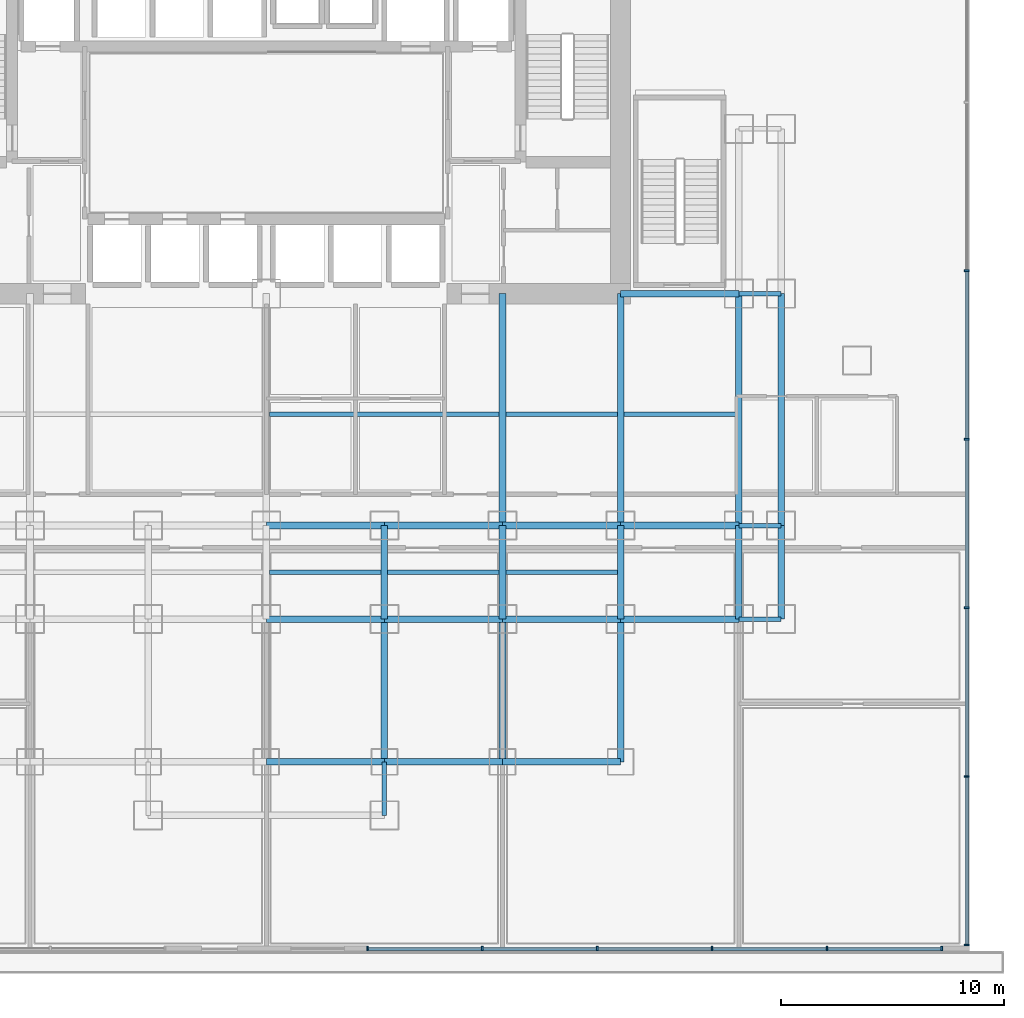
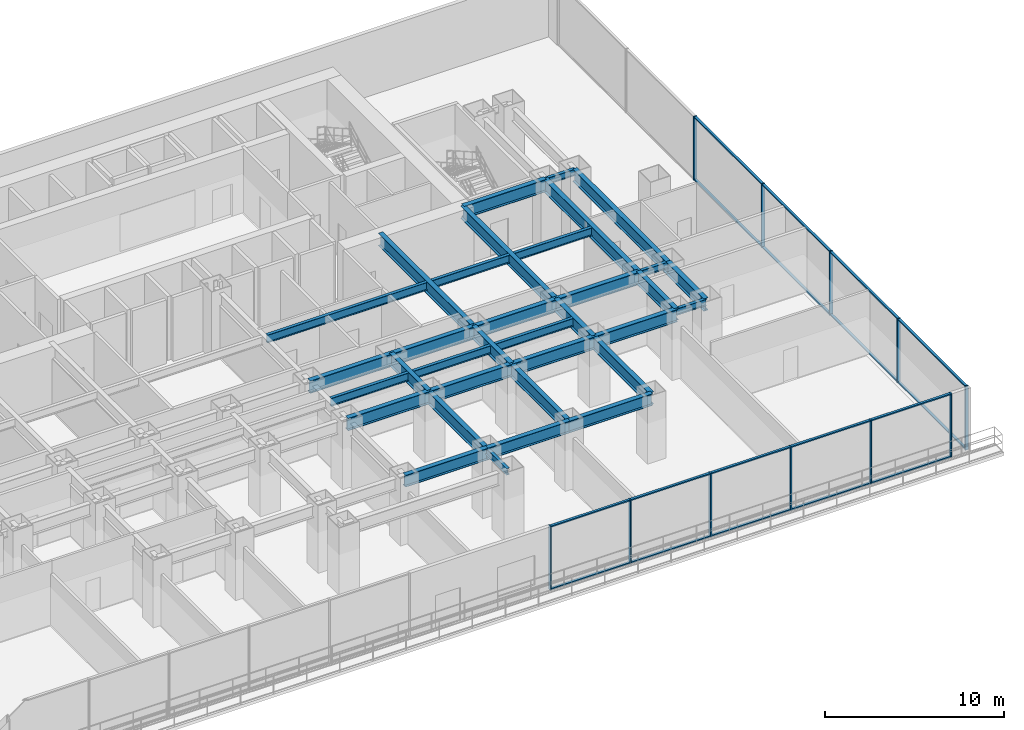
# One storey, part 4 of 13: 34 beams, 29 members, 2 elements without a shape of their own.
"""IFC4 building model written with IfcOpenShell, lengths in metres."""

from ifc_helpers import new_model, si_unit, direction, frame, origin, origin_2d, place, context, subcontext, project, spatial, rectangle, i_section, extrude, source, transform, mapped, material, layer, layer_set, material_profile, profile_set, type_object, element, aggregate, save


model = new_model("IFC4")

# Units and contexts
model_context = context("Model", 3, precision=1e-05, world=origin(), true_north=direction((0.0, 1.0)))
body_context = subcontext(model_context, "Body", "Model", "MODEL_VIEW")
ifc_project = project(units=[si_unit("LENGTHUNIT", "METRE"), si_unit("AREAUNIT", "SQUARE_METRE"), si_unit("VOLUMEUNIT", "CUBIC_METRE"), si_unit("PLANEANGLEUNIT", "RADIAN"), si_unit("MASSUNIT", "GRAM", prefix="KILO")], contexts=[model_context])

# Site, building, storey
site_placement = place(None, origin())
site = spatial("IfcSite", under=ifc_project, at=site_placement, CompositionType="ELEMENT")
building_placement = place(site_placement, origin())
building = spatial("IfcBuilding", under=site, at=building_placement, Name="Qianlan Lanfeng Residences", CompositionType="ELEMENT")
storey_placement = place(building_placement, frame((0.0, 0.0, 14.39990234375)))
storey = spatial("IfcBuildingStorey", under=building, at=storey_placement, Name="L03", CompositionType="ELEMENT", Elevation=14.39990234375)

# Beams
ifc_material_1 = material(Name="Steel SN490B", Category="steel")
ifc_material_profile_1 = material_profile(ifc_material_1, i_section(OverallWidth=0.300048828125, OverallDepth=0.85009765625, WebThickness=0.01611328125, FlangeThickness=0.031982421875, at=origin_2d()), Name="H 850x300x16x32")
ifc_profile_set_1 = profile_set([ifc_material_profile_1], Name="Steel SN490B")
beam_type_1 = type_object("IfcBeamType", Name="G-1100", PredefinedType="BEAM", material=ifc_profile_set_1)
for number, where, z_axis, x_axis, name in (
    (1, (26.5, 10.60009765625, 3.9150390625), (1.0, 0.0, 0.0), (0.0, 1.0, 0.0), "Structural beam G-1100"),
    (2, (31.800048828125, 10.60009765625, 3.9150390625), (1.0, 0.0, 0.0), (0.0, 1.0, 0.0), "Structural beam G-1100"),
):
    element("IfcBeam", number, at=place(storey_placement, frame(where, z_axis=z_axis, x_axis=x_axis)), inside=storey, type_object=beam_type_1, Name=name, PredefinedType="BEAM", context=body_context, shape_type="SweptSolid", body=[
        extrude(i_section(OverallWidth=0.300048828125, OverallDepth=0.85009765625, WebThickness=0.01611328125, FlangeThickness=0.031982421875, at=origin_2d()), origin(), (0.0, 0.0, 1.0), 5.300048828125),
    ])
beam_1_placement = place(storey_placement, frame((37.10009765625, 10.60009765625, 3.9150390625), z_axis=(1.0, 0.0, 0.0), x_axis=(0.0, 1.0, 0.0)))
element("IfcBeam", 3, at=beam_1_placement, inside=storey, type_object=beam_type_1, Name="Structural beam G-1100", PredefinedType="BEAM", context=body_context, shape_type="SweptSolid", body=[
    extrude(i_section(OverallWidth=0.300048828125, OverallDepth=0.85009765625, WebThickness=0.01611328125, FlangeThickness=0.031982421875, at=origin_2d()), origin(), (0.0, 0.0, 1.0), 5.2998046875),
])
for number, where, z_axis, x_axis, name in (
    (4, (42.39990234375, 10.60009765625, 3.9150390625), (1.0, 0.0, 0.0), (0.0, 1.0, 0.0), "Structural beam G-1100"),
    (5, (26.5, 14.800048828125, 3.9150390625), (1.0, 0.0, 0.0), (0.0, 1.0, 0.0), "Structural beam G-1100"),
    (6, (31.800048828125, 14.800048828125, 3.9150390625), (1.0, 0.0, 0.0), (0.0, 1.0, 0.0), "Structural beam G-1100"),
):
    element("IfcBeam", number, at=place(storey_placement, frame(where, z_axis=z_axis, x_axis=x_axis)), inside=storey, type_object=beam_type_1, Name=name, PredefinedType="BEAM", context=body_context, shape_type="SweptSolid", body=[
        extrude(i_section(OverallWidth=0.300048828125, OverallDepth=0.85009765625, WebThickness=0.01611328125, FlangeThickness=0.031982421875, at=origin_2d()), origin(), (0.0, 0.0, 1.0), 5.300048828125),
    ])
beam_2_placement = place(storey_placement, frame((37.10009765625, 14.800048828125, 3.9150390625), z_axis=(1.0, 0.0, 0.0), x_axis=(0.0, 1.0, 0.0)))
element("IfcBeam", 7, at=beam_2_placement, inside=storey, type_object=beam_type_1, Name="Structural beam G-1100", PredefinedType="BEAM", context=body_context, shape_type="SweptSolid", body=[
    extrude(i_section(OverallWidth=0.300048828125, OverallDepth=0.85009765625, WebThickness=0.01611328125, FlangeThickness=0.031982421875, at=origin_2d()), origin(), (0.0, 0.0, 1.0), 5.2998046875),
])
for number, where, z_axis, x_axis, name in (
    (8, (42.39990234375, 14.800048828125, 3.9150390625), (1.0, 0.0, 0.0), (0.0, 1.0, 0.0), "Structural beam G-1100"),
    (9, (42.39990234375, 25.199951171875, 3.9150390625), (1.0, 0.0, 0.0), (0.0, 1.0, 0.0), "Structural beam G-1100"),
):
    element("IfcBeam", number, at=place(storey_placement, frame(where, z_axis=z_axis, x_axis=x_axis)), inside=storey, type_object=beam_type_1, Name=name, PredefinedType="BEAM", context=body_context, shape_type="SweptSolid", body=[
        extrude(i_section(OverallWidth=0.300048828125, OverallDepth=0.85009765625, WebThickness=0.01611328125, FlangeThickness=0.031982421875, at=origin_2d()), origin(), (0.0, 0.0, 1.0), 5.300048828125),
    ])
beam_3_placement = place(storey_placement, frame((31.800048828125, 4.199951171875, 3.9150390625), z_axis=(0.0, 1.0, 0.0), x_axis=(-1.0, 0.0, 0.0)))
element("IfcBeam", 10, at=beam_3_placement, inside=storey, type_object=beam_type_1, Name="Structural beam G-1100", PredefinedType="BEAM", context=body_context, shape_type="SweptSolid", body=[
    extrude(i_section(OverallWidth=0.300048828125, OverallDepth=0.85009765625, WebThickness=0.01611328125, FlangeThickness=0.031982421875, at=origin_2d()), origin(), (0.0, 0.0, 1.0), 6.400146484375),
])
beam_4_placement = place(storey_placement, frame((31.800048828125, 10.60009765625, 3.9150390625), z_axis=(0.0, 1.0, 0.0), x_axis=(-1.0, 0.0, 0.0)))
element("IfcBeam", 11, at=beam_4_placement, inside=storey, type_object=beam_type_1, Name="Structural beam G-1100", PredefinedType="BEAM", context=body_context, shape_type="SweptSolid", body=[
    extrude(i_section(OverallWidth=0.300048828125, OverallDepth=0.85009765625, WebThickness=0.01611328125, FlangeThickness=0.031982421875, at=origin_2d()), origin(), (0.0, 0.0, 1.0), 4.199951171875),
])
beam_5_placement = place(storey_placement, frame((37.10009765625, 4.199951171875, 3.9150390625), z_axis=(0.0, 1.0, 0.0), x_axis=(-1.0, 0.0, 0.0)))
element("IfcBeam", 12, at=beam_5_placement, inside=storey, type_object=beam_type_1, Name="Structural beam G-1100", PredefinedType="BEAM", context=body_context, shape_type="SweptSolid", body=[
    extrude(i_section(OverallWidth=0.300048828125, OverallDepth=0.85009765625, WebThickness=0.01611328125, FlangeThickness=0.031982421875, at=origin_2d()), origin(), (0.0, 0.0, 1.0), 6.400146484375),
])
beam_6_placement = place(storey_placement, frame((37.10009765625, 10.60009765625, 3.9150390625), z_axis=(0.0, 1.0, 0.0), x_axis=(-1.0, 0.0, 0.0)))
element("IfcBeam", 13, at=beam_6_placement, inside=storey, type_object=beam_type_1, Name="Structural beam G-1100", PredefinedType="BEAM", context=body_context, shape_type="SweptSolid", body=[
    extrude(i_section(OverallWidth=0.300048828125, OverallDepth=0.85009765625, WebThickness=0.01611328125, FlangeThickness=0.031982421875, at=origin_2d()), origin(), (0.0, 0.0, 1.0), 4.199951171875),
])
beam_7_placement = place(storey_placement, frame((37.10009765625, 14.800048828125, 3.9150390625), z_axis=(0.0, 1.0, 0.0), x_axis=(-1.0, 0.0, 0.0)))
element("IfcBeam", 14, at=beam_7_placement, inside=storey, type_object=beam_type_1, Name="Structural beam G-1100", PredefinedType="BEAM", context=body_context, shape_type="SweptSolid", body=[
    extrude(i_section(OverallWidth=0.300048828125, OverallDepth=0.85009765625, WebThickness=0.01611328125, FlangeThickness=0.031982421875, at=origin_2d()), origin(), (0.0, 0.0, 1.0), 10.39990234375),
])
beam_8_placement = place(storey_placement, frame((42.39990234375, 4.199951171875, 3.9150390625), z_axis=(0.0, 1.0, 0.0), x_axis=(-1.0, 0.0, 0.0)))
element("IfcBeam", 15, at=beam_8_placement, inside=storey, type_object=beam_type_1, Name="Structural beam G-1100", PredefinedType="BEAM", context=body_context, shape_type="SweptSolid", body=[
    extrude(i_section(OverallWidth=0.300048828125, OverallDepth=0.85009765625, WebThickness=0.01611328125, FlangeThickness=0.031982421875, at=origin_2d()), origin(), (0.0, 0.0, 1.0), 6.400146484375),
])
beam_9_placement = place(storey_placement, frame((42.39990234375, 10.60009765625, 3.9150390625), z_axis=(0.0, 1.0, 0.0), x_axis=(-1.0, 0.0, 0.0)))
element("IfcBeam", 16, at=beam_9_placement, inside=storey, type_object=beam_type_1, Name="Structural beam G-1100", PredefinedType="BEAM", context=body_context, shape_type="SweptSolid", body=[
    extrude(i_section(OverallWidth=0.300048828125, OverallDepth=0.85009765625, WebThickness=0.01611328125, FlangeThickness=0.031982421875, at=origin_2d()), origin(), (0.0, 0.0, 1.0), 4.199951171875),
])
beam_10_placement = place(storey_placement, frame((42.39990234375, 14.800048828125, 3.9150390625), z_axis=(0.0, 1.0, 0.0), x_axis=(-1.0, 0.0, 0.0)))
element("IfcBeam", 17, at=beam_10_placement, inside=storey, type_object=beam_type_1, Name="Structural beam G-1100", PredefinedType="BEAM", context=body_context, shape_type="SweptSolid", body=[
    extrude(i_section(OverallWidth=0.300048828125, OverallDepth=0.85009765625, WebThickness=0.01611328125, FlangeThickness=0.031982421875, at=origin_2d()), origin(), (0.0, 0.0, 1.0), 10.39990234375),
])
beam_11_placement = place(storey_placement, frame((47.699951171875, 10.60009765625, 3.9150390625), z_axis=(0.0, 1.0, 0.0), x_axis=(-1.0, 0.0, 0.0)))
element("IfcBeam", 18, at=beam_11_placement, inside=storey, type_object=beam_type_1, Name="Structural beam G-1100", PredefinedType="BEAM", context=body_context, shape_type="SweptSolid", body=[
    extrude(i_section(OverallWidth=0.300048828125, OverallDepth=0.85009765625, WebThickness=0.01611328125, FlangeThickness=0.031982421875, at=origin_2d()), origin(), (0.0, 0.0, 1.0), 4.199951171875),
])
beam_12_placement = place(storey_placement, frame((47.699951171875, 14.800048828125, 3.9150390625), z_axis=(0.0, 1.0, 0.0), x_axis=(-1.0, 0.0, 0.0)))
element("IfcBeam", 19, at=beam_12_placement, inside=storey, type_object=beam_type_1, Name="Structural beam G-1100", PredefinedType="BEAM", context=body_context, shape_type="SweptSolid", body=[
    extrude(i_section(OverallWidth=0.300048828125, OverallDepth=0.85009765625, WebThickness=0.01611328125, FlangeThickness=0.031982421875, at=origin_2d()), origin(), (0.0, 0.0, 1.0), 10.39990234375),
])
beam_13_placement = place(storey_placement, frame((49.60009765625, 10.60009765625, 3.9150390625), z_axis=(0.0, 1.0, 0.0), x_axis=(-1.0, 0.0, 0.0)))
element("IfcBeam", 20, at=beam_13_placement, inside=storey, type_object=beam_type_1, Name="Structural beam G-1100", PredefinedType="BEAM", context=body_context, shape_type="SweptSolid", body=[
    extrude(i_section(OverallWidth=0.300048828125, OverallDepth=0.85009765625, WebThickness=0.01611328125, FlangeThickness=0.031982421875, at=origin_2d()), origin(), (0.0, 0.0, 1.0), 4.199951171875),
])
beam_14_placement = place(storey_placement, frame((49.60009765625, 14.800048828125, 3.9150390625), z_axis=(0.0, 1.0, 0.0), x_axis=(-1.0, 0.0, 0.0)))
element("IfcBeam", 21, at=beam_14_placement, inside=storey, type_object=beam_type_1, Name="Structural beam G-1100", PredefinedType="BEAM", context=body_context, shape_type="SweptSolid", body=[
    extrude(i_section(OverallWidth=0.300048828125, OverallDepth=0.85009765625, WebThickness=0.01611328125, FlangeThickness=0.031982421875, at=origin_2d()), origin(), (0.0, 0.0, 1.0), 10.39990234375),
])
ifc_material_profile_2 = material_profile(ifc_material_1, i_section(OverallWidth=0.199951171875, OverallDepth=0.449951171875, WebThickness=0.009033203125, FlangeThickness=0.013916015625, at=origin_2d()), Name="H 450x200x9x14")
ifc_profile_set_2 = profile_set([ifc_material_profile_2], Name="Steel SN490B")
beam_type_2 = type_object("IfcBeamType", Name="J-450", PredefinedType="JOIST", material=ifc_profile_set_2)
for number, where, z_axis, x_axis, name in (
    (22, (47.699951171875, 10.60009765625, 4.114990234375), (1.0, 0.0, 0.0), (0.0, 1.0, 0.0), "Structural beam J-450"),
    (23, (47.699951171875, 14.800048828125, 4.114990234375), (1.0, 0.0, 0.0), (0.0, 1.0, 0.0), "Structural beam J-450"),
    (24, (47.699951171875, 25.199951171875, 4.114990234375), (1.0, 0.0, 0.0), (0.0, 1.0, 0.0), "Structural beam J-450"),
):
    element("IfcBeam", number, at=place(storey_placement, frame(where, z_axis=z_axis, x_axis=x_axis)), inside=storey, type_object=beam_type_2, Name=name, PredefinedType="JOIST", context=body_context, shape_type="SweptSolid", body=[
        extrude(i_section(OverallWidth=0.199951171875, OverallDepth=0.449951171875, WebThickness=0.009033203125, FlangeThickness=0.013916015625, at=origin_2d()), origin(), (0.0, 0.0, 1.0), 1.900146484375),
    ])
beam_15_placement = place(storey_placement, frame((31.800048828125, 1.800048828125, 4.114990234375), z_axis=(0.0, 1.0, 0.0), x_axis=(-1.0, 0.0, 0.0)))
element("IfcBeam", 25, at=beam_15_placement, inside=storey, type_object=beam_type_2, Name="Structural beam J-450", PredefinedType="JOIST", context=body_context, shape_type="SweptSolid", body=[
    extrude(i_section(OverallWidth=0.199951171875, OverallDepth=0.449951171875, WebThickness=0.009033203125, FlangeThickness=0.013916015625, at=origin_2d()), origin(), (0.0, 0.0, 1.0), 2.39990234375),
])
ifc_material_profile_3 = material_profile(ifc_material_1, i_section(OverallWidth=0.199951171875, OverallDepth=0.550048828125, WebThickness=0.010986328125, FlangeThickness=0.01806640625, at=origin_2d()), Name="H 550x200x11x18")
ifc_profile_set_3 = profile_set([ifc_material_profile_3], Name="Steel SN490B")
beam_type_3 = type_object("IfcBeamType", Name="J-550", PredefinedType="JOIST", material=ifc_profile_set_3)
for number, where, z_axis, x_axis, name in (
    (26, (26.64990234375, 12.699951171875, 4.065185546875), (1.0, 0.0, 0.0), (0.0, 1.0, 0.0), "Structural beam J-550"),
    (27, (31.949951171875, 12.699951171875, 4.065185546875), (1.0, 0.0, 0.0), (0.0, 1.0, 0.0), "Structural beam J-550"),
    (28, (37.25, 12.699951171875, 4.065185546875), (1.0, 0.0, 0.0), (0.0, 1.0, 0.0), "Structural beam J-550"),
):
    element("IfcBeam", number, at=place(storey_placement, frame(where, z_axis=z_axis, x_axis=x_axis)), inside=storey, type_object=beam_type_3, Name=name, PredefinedType="JOIST", context=body_context, shape_type="SweptSolid", body=[
        extrude(i_section(OverallWidth=0.199951171875, OverallDepth=0.550048828125, WebThickness=0.010986328125, FlangeThickness=0.01806640625, at=origin_2d()), origin(), (0.0, 0.0, 1.0), 5.0),
    ])
beam_16_placement = place(storey_placement, frame((26.64990234375, 19.800048828125, 4.065185546875), z_axis=(1.0, 0.0, 0.0), x_axis=(0.0, 1.0, 0.0)))
element("IfcBeam", 29, at=beam_16_placement, inside=storey, type_object=beam_type_3, Name="Structural beam J-550", PredefinedType="JOIST", context=body_context, shape_type="SweptSolid", body=[
    extrude(i_section(OverallWidth=0.199951171875, OverallDepth=0.550048828125, WebThickness=0.010986328125, FlangeThickness=0.01806640625, at=origin_2d()), origin(), (0.0, 0.0, 1.0), 10.300048828125),
])
for number, where, z_axis, x_axis, name in (
    (30, (37.25, 19.800048828125, 4.065185546875), (1.0, 0.0, 0.0), (0.0, 1.0, 0.0), "Structural beam J-550"),
    (31, (42.550048828125, 19.800048828125, 4.065185546875), (1.0, 0.0, 0.0), (0.0, 1.0, 0.0), "Structural beam J-550"),
):
    element("IfcBeam", number, at=place(storey_placement, frame(where, z_axis=z_axis, x_axis=x_axis)), inside=storey, type_object=beam_type_3, Name=name, PredefinedType="JOIST", context=body_context, shape_type="SweptSolid", body=[
        extrude(i_section(OverallWidth=0.199951171875, OverallDepth=0.550048828125, WebThickness=0.010986328125, FlangeThickness=0.01806640625, at=origin_2d()), origin(), (0.0, 0.0, 1.0), 5.0),
    ])
ifc_material_profile_4 = material_profile(ifc_material_1, i_section(OverallWidth=0.300048828125, OverallDepth=0.800048828125, WebThickness=0.01611328125, FlangeThickness=0.028076171875, at=origin_2d()), Name="H 800x300x16x28")
ifc_profile_set_4 = profile_set([ifc_material_profile_4], Name="Steel SN490B")
beam_type_4 = type_object("IfcBeamType", Name="SG-950", PredefinedType="SPANDREL", material=ifc_profile_set_4)
for number, where, z_axis, x_axis, name in (
    (32, (26.5, 4.199951171875, 3.940185546875), (1.0, 0.0, 0.0), (0.0, 1.0, 0.0), "Structural beam SG-950"),
    (33, (31.800048828125, 4.199951171875, 3.940185546875), (1.0, 0.0, 0.0), (0.0, 1.0, 0.0), "Structural beam SG-950"),
):
    element("IfcBeam", number, at=place(storey_placement, frame(where, z_axis=z_axis, x_axis=x_axis)), inside=storey, type_object=beam_type_4, Name=name, PredefinedType="SPANDREL", context=body_context, shape_type="SweptSolid", body=[
        extrude(i_section(OverallWidth=0.300048828125, OverallDepth=0.800048828125, WebThickness=0.01611328125, FlangeThickness=0.028076171875, at=origin_2d()), origin(), (0.0, 0.0, 1.0), 5.300048828125),
    ])
beam_17_placement = place(storey_placement, frame((37.10009765625, 4.199951171875, 3.940185546875), z_axis=(1.0, 0.0, 0.0), x_axis=(0.0, 1.0, 0.0)))
element("IfcBeam", 34, at=beam_17_placement, inside=storey, type_object=beam_type_4, Name="Structural beam SG-950", PredefinedType="SPANDREL", context=body_context, shape_type="SweptSolid", body=[
    extrude(i_section(OverallWidth=0.300048828125, OverallDepth=0.800048828125, WebThickness=0.01611328125, FlangeThickness=0.028076171875, at=origin_2d()), origin(), (0.0, 0.0, 1.0), 5.2998046875),
])

# Curtain wall, members
ifc_material_2 = material(Name="Anodised Bronze Aluminium 6063-T6", Category="aluminium")
ifc_layer = layer(ifc_material_2, 0.219970703125)
ifc_layer_set = layer_set([ifc_layer], Name="Anodised Bronze Aluminium 6063-T6")
curtain_wall_type = type_object("IfcCurtainWallType", Name="CW-01", PredefinedType="NOTDEFINED", material=ifc_layer_set)
curtain_wall_1_placement = place(storey_placement, origin())
curtain_wall_1 = element("IfcCurtainWall", 35, at=curtain_wall_1_placement, inside=storey, type_object=curtain_wall_type, Name="L03 Unitised Curtain Wall CWR-L03-SE (CW-01)", PredefinedType="NOTDEFINED")
ifc_material_profile_5 = material_profile(ifc_material_2, rectangle(XDim=0.080078125, YDim=0.2099609375, at=origin_2d()), Name="ALU MULLION 80x210")
ifc_profile_set_5 = profile_set([ifc_material_profile_5], Name="Anodised Bronze Aluminium 6063-T6")
member_type_1 = type_object("IfcMemberType", Name="CWM-220", PredefinedType="MULLION", material=ifc_profile_set_5)
shared_shape_1 = source(origin(), body_context, "Body", "SweptSolid", [
    extrude(rectangle(XDim=0.080078125, YDim=0.2099609375, at=origin_2d()), origin(), (0.0, 0.0, 1.0), 4.340087890625),
])
member_1_placement = place(storey_placement, frame((31.0400390625, -4.179931640625, 0.0), z_axis=(0.0, 0.0, 1.0), x_axis=(1.0, 0.0, 0.0)))
member_1 = element("IfcMember", 36, at=member_1_placement, type_object=member_type_1, Name="CWR-L03-SE Mullion 1", PredefinedType="MULLION", context=body_context, shape_type="MappedRepresentation", body=[
    mapped(shared_shape_1, transform((0.0, 0.0, 0.0), scale=1.0)),
])
member_2_placement = place(storey_placement, frame((36.194091796875, -4.179931640625, 0.0), z_axis=(0.0, 0.0, 1.0), x_axis=(1.0, 0.0, 0.0)))
member_2 = element("IfcMember", 37, at=member_2_placement, type_object=member_type_1, Name="CWR-L03-SE Mullion 2", PredefinedType="MULLION", context=body_context, shape_type="MappedRepresentation", body=[
    mapped(shared_shape_1, transform((0.0, 0.0, 0.0), scale=1.0)),
])
member_3_placement = place(storey_placement, frame((41.347900390625, -4.179931640625, 0.0), z_axis=(0.0, 0.0, 1.0), x_axis=(1.0, 0.0, 0.0)))
member_3 = element("IfcMember", 38, at=member_3_placement, type_object=member_type_1, Name="CWR-L03-SE Mullion 3", PredefinedType="MULLION", context=body_context, shape_type="MappedRepresentation", body=[
    mapped(shared_shape_1, transform((0.0, 0.0, 0.0), scale=1.0)),
])
member_4_placement = place(storey_placement, frame((46.501953125, -4.179931640625, 0.0), z_axis=(0.0, 0.0, 1.0), x_axis=(1.0, 0.0, 0.0)))
member_4 = element("IfcMember", 39, at=member_4_placement, type_object=member_type_1, Name="CWR-L03-SE Mullion 4", PredefinedType="MULLION", context=body_context, shape_type="MappedRepresentation", body=[
    mapped(shared_shape_1, transform((0.0, 0.0, 0.0), scale=1.0)),
])
member_5_placement = place(storey_placement, frame((51.656005859375, -4.179931640625, 0.0), z_axis=(0.0, 0.0, 1.0), x_axis=(1.0, 0.0, 0.0)))
member_5 = element("IfcMember", 40, at=member_5_placement, type_object=member_type_1, Name="CWR-L03-SE Mullion 5", PredefinedType="MULLION", context=body_context, shape_type="MappedRepresentation", body=[
    mapped(shared_shape_1, transform((0.0, 0.0, 0.0), scale=1.0)),
])
member_6_placement = place(storey_placement, frame((56.81005859375, -4.179931640625, 0.0), z_axis=(0.0, 0.0, 1.0), x_axis=(1.0, 0.0, 0.0)))
member_6 = element("IfcMember", 41, at=member_6_placement, type_object=member_type_1, Name="CWR-L03-SE Mullion 6", PredefinedType="MULLION", context=body_context, shape_type="MappedRepresentation", body=[
    mapped(shared_shape_1, transform((0.0, 0.0, 0.0), scale=1.0)),
])

curtain_wall_2_placement = place(storey_placement, origin())
curtain_wall_2 = element("IfcCurtainWall", 42, at=curtain_wall_2_placement, inside=storey, type_object=curtain_wall_type, Name="L03 Unitised Curtain Wall CWR-L03-E (CW-01)", PredefinedType="NOTDEFINED")
member_7_placement = place(storey_placement, frame((57.929931640625, -4.02001953125, 0.0), z_axis=(0.0, 0.0, 1.0), x_axis=(0.0, 1.0, 0.0)))
member_7 = element("IfcMember", 43, at=member_7_placement, type_object=member_type_1, Name="CWR-L03-E Mullion 1", PredefinedType="MULLION", context=body_context, shape_type="MappedRepresentation", body=[
    mapped(shared_shape_1, transform((0.0, 0.0, 0.0), scale=1.0)),
])
member_8_placement = place(storey_placement, frame((57.929931640625, 3.543212890625, 0.0), z_axis=(0.0, 0.0, 1.0), x_axis=(0.0, 1.0, 0.0)))
member_8 = element("IfcMember", 44, at=member_8_placement, type_object=member_type_1, Name="CWR-L03-E Mullion 2", PredefinedType="MULLION", context=body_context, shape_type="MappedRepresentation", body=[
    mapped(shared_shape_1, transform((0.0, 0.0, 0.0), scale=1.0)),
])
member_9_placement = place(storey_placement, frame((57.929931640625, 11.106689453125, 0.0), z_axis=(0.0, 0.0, 1.0), x_axis=(0.0, 1.0, 0.0)))
member_9 = element("IfcMember", 45, at=member_9_placement, type_object=member_type_1, Name="CWR-L03-E Mullion 3", PredefinedType="MULLION", context=body_context, shape_type="MappedRepresentation", body=[
    mapped(shared_shape_1, transform((0.0, 0.0, 0.0), scale=1.0)),
])
member_10_placement = place(storey_placement, frame((57.929931640625, 18.669921875, 0.0), z_axis=(0.0, 0.0, 1.0), x_axis=(0.0, 1.0, 0.0)))
member_10 = element("IfcMember", 46, at=member_10_placement, type_object=member_type_1, Name="CWR-L03-E Mullion 4", PredefinedType="MULLION", context=body_context, shape_type="MappedRepresentation", body=[
    mapped(shared_shape_1, transform((0.0, 0.0, 0.0), scale=1.0)),
])
member_11_placement = place(storey_placement, frame((57.929931640625, 26.2333984375, 0.0), z_axis=(0.0, 0.0, 1.0), x_axis=(0.0, 1.0, 0.0)))
member_11 = element("IfcMember", 47, at=member_11_placement, type_object=member_type_1, Name="CWR-L03-E Mullion 5", PredefinedType="MULLION", context=body_context, shape_type="MappedRepresentation", body=[
    mapped(shared_shape_1, transform((0.0, 0.0, 0.0), scale=1.0)),
])

# Member
ifc_material_profile_6 = material_profile(ifc_material_2, rectangle(XDim=0.080078125, YDim=0.159912109375, at=origin_2d()), Name="ALU TRANSOM 80x160")
ifc_profile_set_6 = profile_set([ifc_material_profile_6], Name="Anodised Bronze Aluminium 6063-T6")
member_type_2 = type_object("IfcMemberType", Name="CWT-180", PredefinedType="USERDEFINED", material=ifc_profile_set_6)
shared_shape_2 = source(origin(), body_context, "Body", "SweptSolid", [
    extrude(rectangle(XDim=0.080078125, YDim=0.159912109375, at=origin_2d()), origin(), (0.0, 0.0, 1.0), 5.073974609375),
])
member_12_placement = place(storey_placement, frame((31.080078125, -4.179931640625, 0.0400390625), z_axis=(1.0, 0.0, 0.0), x_axis=(0.0, 0.0, 1.0)))
member_12 = element("IfcMember", 48, at=member_12_placement, type_object=member_type_2, Name="CWR-L03-SE Transom 1-BOT", ObjectType="TRANSOM", PredefinedType="USERDEFINED", context=body_context, shape_type="MappedRepresentation", body=[
    mapped(shared_shape_2, transform((0.0, 0.0, 0.0), scale=1.0)),
])

member_13_placement = place(storey_placement, frame((31.080078125, -4.179931640625, 4.300048828125), z_axis=(1.0, 0.0, 0.0), x_axis=(0.0, 0.0, 1.0)))
member_13 = element("IfcMember", 49, at=member_13_placement, type_object=member_type_2, Name="CWR-L03-SE Transom 1-TOP", ObjectType="TRANSOM", PredefinedType="USERDEFINED", context=body_context, shape_type="MappedRepresentation", body=[
    mapped(shared_shape_2, transform((0.0, 0.0, 0.0), scale=1.0)),
])

member_14_placement = place(storey_placement, frame((41.387939453125, -4.179931640625, 0.0400390625), z_axis=(1.0, 0.0, 0.0), x_axis=(0.0, 0.0, 1.0)))
member_14 = element("IfcMember", 50, at=member_14_placement, type_object=member_type_2, Name="CWR-L03-SE Transom 3-BOT", ObjectType="TRANSOM", PredefinedType="USERDEFINED", context=body_context, shape_type="MappedRepresentation", body=[
    mapped(shared_shape_2, transform((0.0, 0.0, 0.0), scale=1.0)),
])

member_15_placement = place(storey_placement, frame((41.387939453125, -4.179931640625, 4.300048828125), z_axis=(1.0, 0.0, 0.0), x_axis=(0.0, 0.0, 1.0)))
member_15 = element("IfcMember", 51, at=member_15_placement, type_object=member_type_2, Name="CWR-L03-SE Transom 3-TOP", ObjectType="TRANSOM", PredefinedType="USERDEFINED", context=body_context, shape_type="MappedRepresentation", body=[
    mapped(shared_shape_2, transform((0.0, 0.0, 0.0), scale=1.0)),
])

member_16_placement = place(storey_placement, frame((46.5419921875, -4.179931640625, 0.0400390625), z_axis=(1.0, 0.0, 0.0), x_axis=(0.0, 0.0, 1.0)))
member_16 = element("IfcMember", 52, at=member_16_placement, type_object=member_type_2, Name="CWR-L03-SE Transom 4-BOT", ObjectType="TRANSOM", PredefinedType="USERDEFINED", context=body_context, shape_type="MappedRepresentation", body=[
    mapped(shared_shape_2, transform((0.0, 0.0, 0.0), scale=1.0)),
])

member_17_placement = place(storey_placement, frame((46.5419921875, -4.179931640625, 4.300048828125), z_axis=(1.0, 0.0, 0.0), x_axis=(0.0, 0.0, 1.0)))
member_17 = element("IfcMember", 53, at=member_17_placement, type_object=member_type_2, Name="CWR-L03-SE Transom 4-TOP", ObjectType="TRANSOM", PredefinedType="USERDEFINED", context=body_context, shape_type="MappedRepresentation", body=[
    mapped(shared_shape_2, transform((0.0, 0.0, 0.0), scale=1.0)),
])

member_18_placement = place(storey_placement, frame((51.696044921875, -4.179931640625, 0.0400390625), z_axis=(1.0, 0.0, 0.0), x_axis=(0.0, 0.0, 1.0)))
member_18 = element("IfcMember", 54, at=member_18_placement, type_object=member_type_2, Name="CWR-L03-SE Transom 5-BOT", ObjectType="TRANSOM", PredefinedType="USERDEFINED", context=body_context, shape_type="MappedRepresentation", body=[
    mapped(shared_shape_2, transform((0.0, 0.0, 0.0), scale=1.0)),
])

member_19_placement = place(storey_placement, frame((51.696044921875, -4.179931640625, 4.300048828125), z_axis=(1.0, 0.0, 0.0), x_axis=(0.0, 0.0, 1.0)))
member_19 = element("IfcMember", 55, at=member_19_placement, type_object=member_type_2, Name="CWR-L03-SE Transom 5-TOP", ObjectType="TRANSOM", PredefinedType="USERDEFINED", context=body_context, shape_type="MappedRepresentation", body=[
    mapped(shared_shape_2, transform((0.0, 0.0, 0.0), scale=1.0)),
])

shared_shape_3 = source(origin(), body_context, "Body", "SweptSolid", [
    extrude(rectangle(XDim=0.080078125, YDim=0.159912109375, at=origin_2d()), origin(), (0.0, 0.0, 1.0), 5.07421875),
])
member_20_placement = place(storey_placement, frame((36.23388671875, -4.179931640625, 0.0400390625), z_axis=(1.0, 0.0, 0.0), x_axis=(0.0, 0.0, 1.0)))
member_20 = element("IfcMember", 56, at=member_20_placement, type_object=member_type_2, Name="CWR-L03-SE Transom 2-BOT", ObjectType="TRANSOM", PredefinedType="USERDEFINED", context=body_context, shape_type="MappedRepresentation", body=[
    mapped(shared_shape_3, transform((0.0, 0.0, 0.0), scale=1.0)),
])

member_21_placement = place(storey_placement, frame((36.23388671875, -4.179931640625, 4.300048828125), z_axis=(1.0, 0.0, 0.0), x_axis=(0.0, 0.0, 1.0)))
member_21 = element("IfcMember", 57, at=member_21_placement, type_object=member_type_2, Name="CWR-L03-SE Transom 2-TOP", ObjectType="TRANSOM", PredefinedType="USERDEFINED", context=body_context, shape_type="MappedRepresentation", body=[
    mapped(shared_shape_3, transform((0.0, 0.0, 0.0), scale=1.0)),
])

aggregate(curtain_wall_1, [member_1, member_2, member_3, member_4, member_5, member_6, member_12, member_13, member_20, member_21, member_14, member_15, member_16, member_17, member_18, member_19])

shared_shape_4 = source(origin(), body_context, "Body", "SweptSolid", [
    extrude(rectangle(XDim=0.080078125, YDim=0.159912109375, at=origin_2d()), origin(), (0.0, 0.0, 1.0), 7.4833984375),
])
member_22_placement = place(storey_placement, frame((57.929931640625, -3.97998046875, 0.0400390625), z_axis=(0.0, 1.0, 0.0), x_axis=(0.0, 0.0, 1.0)))
member_22 = element("IfcMember", 58, at=member_22_placement, type_object=member_type_2, Name="CWR-L03-E Transom 1-BOT", ObjectType="TRANSOM", PredefinedType="USERDEFINED", context=body_context, shape_type="MappedRepresentation", body=[
    mapped(shared_shape_4, transform((0.0, 0.0, 0.0), scale=1.0)),
])

member_23_placement = place(storey_placement, frame((57.929931640625, -3.97998046875, 4.300048828125), z_axis=(0.0, 1.0, 0.0), x_axis=(0.0, 0.0, 1.0)))
member_23 = element("IfcMember", 59, at=member_23_placement, type_object=member_type_2, Name="CWR-L03-E Transom 1-TOP", ObjectType="TRANSOM", PredefinedType="USERDEFINED", context=body_context, shape_type="MappedRepresentation", body=[
    mapped(shared_shape_4, transform((0.0, 0.0, 0.0), scale=1.0)),
])

member_24_placement = place(storey_placement, frame((57.929931640625, 3.583251953125, 0.0400390625), z_axis=(0.0, 1.0, 0.0), x_axis=(0.0, 0.0, 1.0)))
member_24 = element("IfcMember", 60, at=member_24_placement, type_object=member_type_2, Name="CWR-L03-E Transom 2-BOT", ObjectType="TRANSOM", PredefinedType="USERDEFINED", context=body_context, shape_type="MappedRepresentation", body=[
    mapped(shared_shape_4, transform((0.0, 0.0, 0.0), scale=1.0)),
])

member_25_placement = place(storey_placement, frame((57.929931640625, 3.583251953125, 4.300048828125), z_axis=(0.0, 1.0, 0.0), x_axis=(0.0, 0.0, 1.0)))
member_25 = element("IfcMember", 61, at=member_25_placement, type_object=member_type_2, Name="CWR-L03-E Transom 2-TOP", ObjectType="TRANSOM", PredefinedType="USERDEFINED", context=body_context, shape_type="MappedRepresentation", body=[
    mapped(shared_shape_4, transform((0.0, 0.0, 0.0), scale=1.0)),
])

member_26_placement = place(storey_placement, frame((57.929931640625, 18.7099609375, 0.0400390625), z_axis=(0.0, 1.0, 0.0), x_axis=(0.0, 0.0, 1.0)))
member_26 = element("IfcMember", 62, at=member_26_placement, type_object=member_type_2, Name="CWR-L03-E Transom 4-BOT", ObjectType="TRANSOM", PredefinedType="USERDEFINED", context=body_context, shape_type="MappedRepresentation", body=[
    mapped(shared_shape_4, transform((0.0, 0.0, 0.0), scale=1.0)),
])

member_27_placement = place(storey_placement, frame((57.929931640625, 18.7099609375, 4.300048828125), z_axis=(0.0, 1.0, 0.0), x_axis=(0.0, 0.0, 1.0)))
member_27 = element("IfcMember", 63, at=member_27_placement, type_object=member_type_2, Name="CWR-L03-E Transom 4-TOP", ObjectType="TRANSOM", PredefinedType="USERDEFINED", context=body_context, shape_type="MappedRepresentation", body=[
    mapped(shared_shape_4, transform((0.0, 0.0, 0.0), scale=1.0)),
])

shared_shape_5 = source(origin(), body_context, "Body", "SweptSolid", [
    extrude(rectangle(XDim=0.080078125, YDim=0.159912109375, at=origin_2d()), origin(), (0.0, 0.0, 1.0), 7.483154296875),
])
member_28_placement = place(storey_placement, frame((57.929931640625, 11.146728515625, 0.0400390625), z_axis=(0.0, 1.0, 0.0), x_axis=(0.0, 0.0, 1.0)))
member_28 = element("IfcMember", 64, at=member_28_placement, type_object=member_type_2, Name="CWR-L03-E Transom 3-BOT", ObjectType="TRANSOM", PredefinedType="USERDEFINED", context=body_context, shape_type="MappedRepresentation", body=[
    mapped(shared_shape_5, transform((0.0, 0.0, 0.0), scale=1.0)),
])

member_29_placement = place(storey_placement, frame((57.929931640625, 11.146728515625, 4.300048828125), z_axis=(0.0, 1.0, 0.0), x_axis=(0.0, 0.0, 1.0)))
member_29 = element("IfcMember", 65, at=member_29_placement, type_object=member_type_2, Name="CWR-L03-E Transom 3-TOP", ObjectType="TRANSOM", PredefinedType="USERDEFINED", context=body_context, shape_type="MappedRepresentation", body=[
    mapped(shared_shape_5, transform((0.0, 0.0, 0.0), scale=1.0)),
])

aggregate(curtain_wall_2, [member_7, member_8, member_9, member_10, member_11, member_22, member_23, member_24, member_25, member_28, member_29, member_26, member_27])

save(model, "model.ifc")
